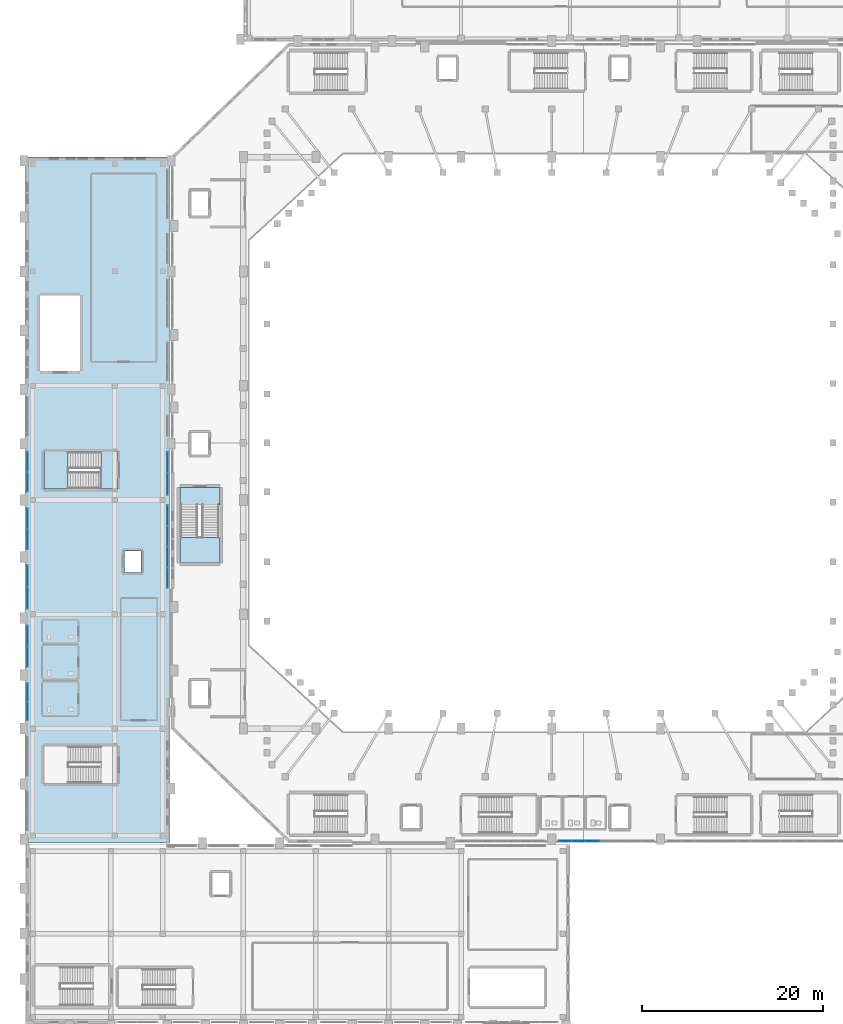
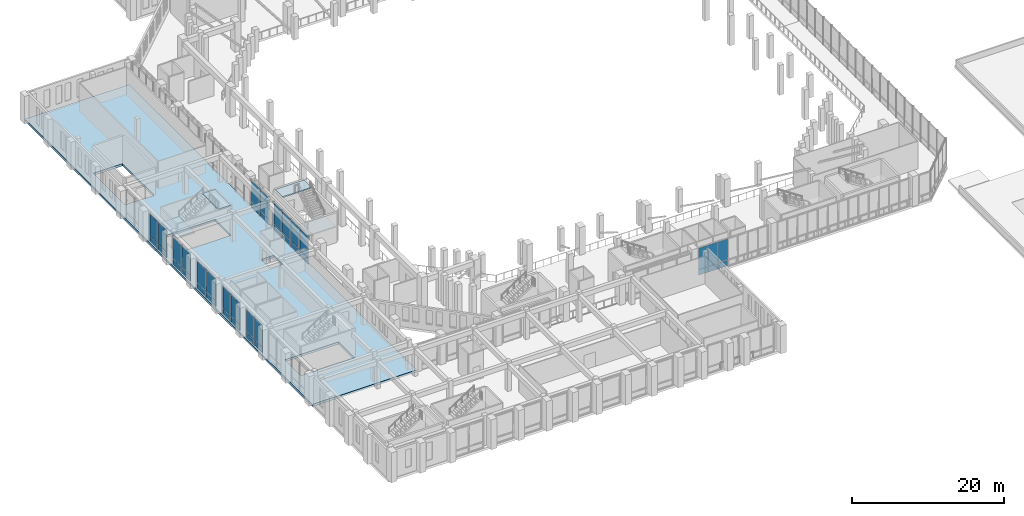
# One storey, part 67 of 126: 38 plates, 5 slabs, 10 elements without a shape of their own.
"""IFC4 building model written with IfcOpenShell, lengths in metres."""

from ifc_helpers import new_model, si_unit, derived_unit, direction, frame, origin, origin_2d, place, context, subcontext, project, spatial, polyline, rectangle, outline, extrude, material, layer, layer_set, type_object, element, aggregate, save


model = new_model("IFC4")

# Units and contexts
model_context = context("Model", 3, precision=1e-05, world=origin(), true_north=direction((0.0, 1.0)))
body_context = subcontext(model_context, "Body", "Model", "MODEL_VIEW")
ifc_project = project(units=[si_unit("LENGTHUNIT", "METRE"), si_unit("AREAUNIT", "SQUARE_METRE"), si_unit("VOLUMEUNIT", "CUBIC_METRE"), si_unit("PLANEANGLEUNIT", "RADIAN"), si_unit("MASSUNIT", "GRAM", prefix="KILO"), derived_unit("THERMALTRANSMITTANCEUNIT", [(si_unit("MASSUNIT", "GRAM", prefix="KILO"), 1), (si_unit("TIMEUNIT", "SECOND"), -3), (si_unit("THERMODYNAMICTEMPERATUREUNIT", "KELVIN"), -1)])], contexts=[model_context])

# Site, building, storey
site_placement = place(None, origin())
site = spatial("IfcSite", under=ifc_project, at=site_placement, CompositionType="ELEMENT")
building_placement = place(site_placement, origin())
building = spatial("IfcBuilding", under=site, at=building_placement, Name="Valcora Ridge Arena", CompositionType="ELEMENT")
storey_placement = place(building_placement, frame((0.0, 0.0, 11.39990234375)))
storey = spatial("IfcBuildingStorey", under=building, at=storey_placement, Name="L02", CompositionType="ELEMENT", Elevation=11.39990234375)

# Stair, slabs
ifc_material_1 = material(Name="Concrete C40/50", Category="concrete")
stair_type_1 = type_object("IfcStairType", Name="TY-STAIR-ES08-48", PredefinedType="HALF_TURN_STAIR", material=ifc_material_1)
stair_1_placement = place(storey_placement, origin())
stair_1 = element("IfcStair", 1, at=stair_1_placement, inside=storey, type_object=stair_type_1, Name="ES08-48 STR-ES-0029", PredefinedType="HALF_TURN_STAIR")
ifc_layer_1 = layer(ifc_material_1, 0.199951171875, Name="Concrete C40/50")
ifc_layer_set_1 = layer_set([ifc_layer_1], Name="Concrete C40/50")
slab_type_1 = type_object("IfcSlabType", Name="TY-LAND-ES08-48", PredefinedType="LANDING", material=ifc_layer_set_1)
slab_1_placement = place(storey_placement, frame((0.0, 0.0, 2.2001953125)))
slab_1 = element("IfcSlab", 2, at=slab_1_placement, type_object=slab_type_1, Name="ES08-48 landing 1", PredefinedType="LANDING", context=body_context, shape_type="SweptSolid", body=[
    extrude(outline(polyline([(2.001953125, 59.001953125), (4.679931640625, 59.001953125), (4.679931640625, 63.197998046875), (2.001953125, 63.197998046875), (2.001953125, 59.001953125)])), origin(), (0.0, 0.0, 1.0), 0.199951171875),
])
slab_2_placement = place(storey_placement, frame((0.0, 0.0, 4.60009765625)))
slab_2 = element("IfcSlab", 3, at=slab_2_placement, type_object=slab_type_1, Name="ES08-48 landing 2", PredefinedType="LANDING", context=body_context, shape_type="SweptSolid", body=[
    extrude(outline(polyline([(8.280029296875, 59.001953125), (10.157958984375, 59.001953125), (10.157958984375, 63.197998046875), (8.280029296875, 63.197998046875), (8.280029296875, 59.001953125)])), origin(), (0.0, 0.0, 1.0), 0.199951171875),
])
aggregate(stair_1, [slab_1, slab_2])

stair_type_2 = type_object("IfcStairType", Name="TY-STAIR-ST05-48", PredefinedType="HALF_TURN_STAIR", material=ifc_material_1)
stair_2_placement = place(storey_placement, origin())
stair_2 = element("IfcStair", 4, at=stair_2_placement, inside=storey, type_object=stair_type_2, Name="ST05-48 STR-CR-0026", PredefinedType="HALF_TURN_STAIR")
ifc_layer_2 = layer(ifc_material_1, 0.199951171875, Name="Concrete C40/50")
ifc_layer_set_2 = layer_set([ifc_layer_2], Name="Concrete C40/50")
slab_type_2 = type_object("IfcSlabType", Name="TY-LAND-ST05-48", PredefinedType="LANDING", material=ifc_layer_set_2)
slab_3_placement = place(storey_placement, frame((0.0, 0.0, 2.2001953125)))
slab_3 = element("IfcSlab", 5, at=slab_3_placement, type_object=slab_type_2, Name="ST05-48 landing 1", PredefinedType="LANDING", context=body_context, shape_type="SweptSolid", body=[
    extrude(outline(polyline([(17.001953125, 50.882080078125), (21.39794921875, 50.882080078125), (21.39794921875, 53.669921875), (17.001953125, 53.669921875), (17.001953125, 50.882080078125)])), origin(), (0.0, 0.0, 1.0), 0.199951171875),
])
slab_4_placement = place(storey_placement, frame((0.0, 0.0, 4.60009765625)))
slab_4 = element("IfcSlab", 6, at=slab_4_placement, type_object=slab_type_2, Name="ST05-48 landing 2", PredefinedType="LANDING", context=body_context, shape_type="SweptSolid", body=[
    extrude(outline(polyline([(17.001953125, 57.27001953125), (21.39794921875, 57.27001953125), (21.39794921875, 59.197998046875), (17.001953125, 59.197998046875), (17.001953125, 57.27001953125)])), origin(), (0.0, 0.0, 1.0), 0.199951171875),
])
aggregate(stair_2, [slab_3, slab_4])

# Curtain wall, plates
ifc_material_2 = material(Name="Anodised dark bronze architectural aluminium 6063-T6", Category="aluminium")
ifc_layer_3 = layer(ifc_material_2, 0.179931640625, Name="Anodised dark bronze architectural aluminium 6063-T6")
ifc_layer_set_3 = layer_set([ifc_layer_3], Name="Anodised dark bronze architectural aluminium 6063-T6")
curtain_wall_type_1 = type_object("IfcCurtainWallType", Name="TY-CURTAINWALL-CW-V1-GOTH-106X44", PredefinedType="NOTDEFINED", material=ifc_layer_set_3)
curtain_wall_1_placement = place(storey_placement, origin())
curtain_wall_1 = element("IfcCurtainWall", 7, at=curtain_wall_1_placement, inside=storey, type_object=curtain_wall_type_1, Name="CW-V1-GOTH-106X44 CW-0121", PredefinedType="NOTDEFINED")
ifc_material_3 = material(Name="Low-iron solar-control double glazing SHGC 0.28", Category="glass")
ifc_layer_4 = layer(ifc_material_3, 0.031982421875, Name="Low-iron solar-control double glazing SHGC 0.28")
ifc_layer_set_4 = layer_set([ifc_layer_4], Name="Low-iron solar-control double glazing SHGC 0.28")
plate_type_1 = type_object("IfcPlateType", Name="TY-PLT-CWP-1427X0860", PredefinedType="CURTAIN_PANEL", material=ifc_layer_set_4)
plate_1_placement = place(storey_placement, frame((59.46337890625, 20.199951171875, 0.06005859375), z_axis=(0.0, 0.0, 1.0), x_axis=(1.0, 0.0, 0.0)))
plate_1 = element("IfcPlate", 8, at=plate_1_placement, type_object=plate_type_1, Name="CW-0121/P00-00", PredefinedType="CURTAIN_PANEL", context=body_context, shape_type="SweptSolid", body=[
    extrude(rectangle(XDim=1.427001953125, YDim=0.031982421875, at=origin_2d()), origin(), (0.0, 0.0, 1.0), 0.860107421875),
])
ifc_layer_5 = layer(ifc_material_3, 0.031982421875, Name="Low-iron solar-control double glazing SHGC 0.28")
ifc_layer_set_5 = layer_set([ifc_layer_5], Name="Low-iron solar-control double glazing SHGC 0.28")
plate_type_2 = type_object("IfcPlateType", Name="TY-PLT-CWP-1427X3410", PredefinedType="CURTAIN_PANEL", material=ifc_layer_set_5)
plate_2_placement = place(storey_placement, frame((59.46337890625, 20.199951171875, 0.97998046875), z_axis=(0.0, 0.0, 1.0), x_axis=(1.0, 0.0, 0.0)))
plate_2 = element("IfcPlate", 9, at=plate_2_placement, type_object=plate_type_2, Name="CW-0121/P00-01", PredefinedType="CURTAIN_PANEL", context=body_context, shape_type="SweptSolid", body=[
    extrude(rectangle(XDim=1.427001953125, YDim=0.031982421875, at=origin_2d()), origin(), (0.0, 0.0, 1.0), 3.409912109375),
])
ifc_layer_6 = layer(ifc_material_3, 0.031982421875, Name="Low-iron solar-control double glazing SHGC 0.28")
ifc_layer_set_6 = layer_set([ifc_layer_6], Name="Low-iron solar-control double glazing SHGC 0.28")
plate_type_3 = type_object("IfcPlateType", Name="TY-PLT-CWP-1457X0860", PredefinedType="CURTAIN_PANEL", material=ifc_layer_set_6)
plate_3_placement = place(storey_placement, frame((60.965576171875, 20.199951171875, 0.06005859375), z_axis=(0.0, 0.0, 1.0), x_axis=(1.0, 0.0, 0.0)))
plate_3 = element("IfcPlate", 10, at=plate_3_placement, type_object=plate_type_3, Name="CW-0121/P01-00", PredefinedType="CURTAIN_PANEL", context=body_context, shape_type="SweptSolid", body=[
    extrude(rectangle(XDim=1.45703125, YDim=0.031982421875, at=origin_2d()), origin(), (0.0, 0.0, 1.0), 0.860107421875),
])
plate_4_placement = place(storey_placement, frame((62.482421875, 20.199951171875, 0.06005859375), z_axis=(0.0, 0.0, 1.0), x_axis=(1.0, 0.0, 0.0)))
plate_4 = element("IfcPlate", 11, at=plate_4_placement, type_object=plate_type_3, Name="CW-0121/P02-00", PredefinedType="CURTAIN_PANEL", context=body_context, shape_type="SweptSolid", body=[
    extrude(rectangle(XDim=1.45703125, YDim=0.031982421875, at=origin_2d()), origin(), (0.0, 0.0, 1.0), 0.860107421875),
])
ifc_layer_7 = layer(ifc_material_3, 0.031982421875, Name="Low-iron solar-control double glazing SHGC 0.28")
ifc_layer_set_7 = layer_set([ifc_layer_7], Name="Low-iron solar-control double glazing SHGC 0.28")
plate_type_4 = type_object("IfcPlateType", Name="TY-PLT-CWP-1457X3410", PredefinedType="CURTAIN_PANEL", material=ifc_layer_set_7)
plate_5_placement = place(storey_placement, frame((60.965576171875, 20.199951171875, 0.97998046875), z_axis=(0.0, 0.0, 1.0), x_axis=(1.0, 0.0, 0.0)))
plate_5 = element("IfcPlate", 12, at=plate_5_placement, type_object=plate_type_4, Name="CW-0121/P01-01", PredefinedType="CURTAIN_PANEL", context=body_context, shape_type="SweptSolid", body=[
    extrude(rectangle(XDim=1.45703125, YDim=0.031982421875, at=origin_2d()), origin(), (0.0, 0.0, 1.0), 3.409912109375),
])
plate_6_placement = place(storey_placement, frame((62.482421875, 20.199951171875, 0.97998046875), z_axis=(0.0, 0.0, 1.0), x_axis=(1.0, 0.0, 0.0)))
plate_6 = element("IfcPlate", 13, at=plate_6_placement, type_object=plate_type_4, Name="CW-0121/P02-01", PredefinedType="CURTAIN_PANEL", context=body_context, shape_type="SweptSolid", body=[
    extrude(rectangle(XDim=1.45703125, YDim=0.031982421875, at=origin_2d()), origin(), (0.0, 0.0, 1.0), 3.409912109375),
])
aggregate(curtain_wall_1, [plate_1, plate_2, plate_3, plate_5, plate_4, plate_6])

ifc_layer_8 = layer(ifc_material_2, 0.14990234375, Name="Anodised dark bronze architectural aluminium 6063-T6")
ifc_layer_set_8 = layer_set([ifc_layer_8], Name="Anodised dark bronze architectural aluminium 6063-T6")
curtain_wall_type_2 = type_object("IfcCurtainWallType", Name="TY-CURTAINWALL-CW-V4-CLUB-042X44", PredefinedType="NOTDEFINED", material=ifc_layer_set_8)
curtain_wall_2_placement = place(storey_placement, origin())
curtain_wall_2 = element("IfcCurtainWall", 14, at=curtain_wall_2_placement, inside=storey, type_object=curtain_wall_type_2, Name="CW-V4-CLUB-042X44 CW-0257", PredefinedType="NOTDEFINED")
ifc_layer_9 = layer(ifc_material_3, 0.028076171875, Name="Low-iron solar-control double glazing SHGC 0.28")
ifc_layer_set_9 = layer_set([ifc_layer_9], Name="Low-iron solar-control double glazing SHGC 0.28")
plate_type_5 = type_object("IfcPlateType", Name="TY-PLT-CWP-2035X0875", PredefinedType="CURTAIN_PANEL", material=ifc_layer_set_9)
plate_7_placement = place(storey_placement, frame((0.219970703125, 34.507568359375, 0.050048828125), z_axis=(0.0, 0.0, 1.0), x_axis=(0.0, 1.0, 0.0)))
plate_7 = element("IfcPlate", 15, at=plate_7_placement, type_object=plate_type_5, Name="CW-0257/P00-00", PredefinedType="CURTAIN_PANEL", context=body_context, shape_type="SweptSolid", body=[
    extrude(rectangle(XDim=2.034912109375, YDim=0.028076171875, at=origin_2d()), origin(), (0.0, 0.0, 1.0), 0.875),
])
plate_8_placement = place(storey_placement, frame((0.219970703125, 36.592529296875, 0.050048828125), z_axis=(0.0, 0.0, 1.0), x_axis=(0.0, 1.0, 0.0)))
plate_8 = element("IfcPlate", 16, at=plate_8_placement, type_object=plate_type_5, Name="CW-0257/P01-00", PredefinedType="CURTAIN_PANEL", context=body_context, shape_type="SweptSolid", body=[
    extrude(rectangle(XDim=2.034912109375, YDim=0.028076171875, at=origin_2d()), origin(), (0.0, 0.0, 1.0), 0.875),
])
ifc_layer_10 = layer(ifc_material_3, 0.028076171875, Name="Low-iron solar-control double glazing SHGC 0.28")
ifc_layer_set_10 = layer_set([ifc_layer_10], Name="Low-iron solar-control double glazing SHGC 0.28")
plate_type_6 = type_object("IfcPlateType", Name="TY-PLT-CWP-2035X3425", PredefinedType="CURTAIN_PANEL", material=ifc_layer_set_10)
plate_9_placement = place(storey_placement, frame((0.219970703125, 34.507568359375, 0.97509765625), z_axis=(0.0, 0.0, 1.0), x_axis=(0.0, 1.0, 0.0)))
plate_9 = element("IfcPlate", 17, at=plate_9_placement, type_object=plate_type_6, Name="CW-0257/P00-01", PredefinedType="CURTAIN_PANEL", context=body_context, shape_type="SweptSolid", body=[
    extrude(rectangle(XDim=2.034912109375, YDim=0.028076171875, at=origin_2d()), origin(), (0.0, 0.0, 1.0), 3.425048828125),
])
plate_10_placement = place(storey_placement, frame((0.219970703125, 36.592529296875, 0.97509765625), z_axis=(0.0, 0.0, 1.0), x_axis=(0.0, 1.0, 0.0)))
plate_10 = element("IfcPlate", 18, at=plate_10_placement, type_object=plate_type_6, Name="CW-0257/P01-01", PredefinedType="CURTAIN_PANEL", context=body_context, shape_type="SweptSolid", body=[
    extrude(rectangle(XDim=2.034912109375, YDim=0.028076171875, at=origin_2d()), origin(), (0.0, 0.0, 1.0), 3.425048828125),
])
aggregate(curtain_wall_2, [plate_7, plate_9, plate_8, plate_10])

ifc_layer_11 = layer(ifc_material_2, 0.14990234375, Name="Anodised dark bronze architectural aluminium 6063-T6")
ifc_layer_set_11 = layer_set([ifc_layer_11], Name="Anodised dark bronze architectural aluminium 6063-T6")
curtain_wall_type_3 = type_object("IfcCurtainWallType", Name="TY-CURTAINWALL-CW-V4-CLUB-045X44", PredefinedType="NOTDEFINED", material=ifc_layer_set_11)
curtain_wall_3_placement = place(storey_placement, origin())
curtain_wall_3 = element("IfcCurtainWall", 19, at=curtain_wall_3_placement, inside=storey, type_object=curtain_wall_type_3, Name="CW-V4-CLUB-045X44 CW-0261", PredefinedType="NOTDEFINED")
ifc_layer_12 = layer(ifc_material_3, 0.028076171875, Name="Low-iron solar-control double glazing SHGC 0.28")
ifc_layer_set_12 = layer_set([ifc_layer_12], Name="Low-iron solar-control double glazing SHGC 0.28")
plate_type_7 = type_object("IfcPlateType", Name="TY-PLT-CWP-2185X0875", PredefinedType="CURTAIN_PANEL", material=ifc_layer_set_12)
plate_11_placement = place(storey_placement, frame((0.219970703125, 59.782470703125, 0.050048828125), z_axis=(0.0, 0.0, 1.0), x_axis=(0.0, 1.0, 0.0)))
plate_11 = element("IfcPlate", 20, at=plate_11_placement, type_object=plate_type_7, Name="CW-0261/P00-00", PredefinedType="CURTAIN_PANEL", context=body_context, shape_type="SweptSolid", body=[
    extrude(rectangle(XDim=2.18505859375, YDim=0.028076171875, at=origin_2d()), origin(), (0.0, 0.0, 1.0), 0.875),
])
plate_12_placement = place(storey_placement, frame((0.219970703125, 62.017578125, 0.050048828125), z_axis=(0.0, 0.0, 1.0), x_axis=(0.0, 1.0, 0.0)))
plate_12 = element("IfcPlate", 21, at=plate_12_placement, type_object=plate_type_7, Name="CW-0261/P01-00", PredefinedType="CURTAIN_PANEL", context=body_context, shape_type="SweptSolid", body=[
    extrude(rectangle(XDim=2.18505859375, YDim=0.028076171875, at=origin_2d()), origin(), (0.0, 0.0, 1.0), 0.875),
])
ifc_layer_13 = layer(ifc_material_3, 0.028076171875, Name="Low-iron solar-control double glazing SHGC 0.28")
ifc_layer_set_13 = layer_set([ifc_layer_13], Name="Low-iron solar-control double glazing SHGC 0.28")
plate_type_8 = type_object("IfcPlateType", Name="TY-PLT-CWP-2185X3425", PredefinedType="CURTAIN_PANEL", material=ifc_layer_set_13)
plate_13_placement = place(storey_placement, frame((0.219970703125, 59.782470703125, 0.97509765625), z_axis=(0.0, 0.0, 1.0), x_axis=(0.0, 1.0, 0.0)))
plate_13 = element("IfcPlate", 22, at=plate_13_placement, type_object=plate_type_8, Name="CW-0261/P00-01", PredefinedType="CURTAIN_PANEL", context=body_context, shape_type="SweptSolid", body=[
    extrude(rectangle(XDim=2.18505859375, YDim=0.028076171875, at=origin_2d()), origin(), (0.0, 0.0, 1.0), 3.425048828125),
])
plate_14_placement = place(storey_placement, frame((0.219970703125, 62.017578125, 0.97509765625), z_axis=(0.0, 0.0, 1.0), x_axis=(0.0, 1.0, 0.0)))
plate_14 = element("IfcPlate", 23, at=plate_14_placement, type_object=plate_type_8, Name="CW-0261/P01-01", PredefinedType="CURTAIN_PANEL", context=body_context, shape_type="SweptSolid", body=[
    extrude(rectangle(XDim=2.18505859375, YDim=0.028076171875, at=origin_2d()), origin(), (0.0, 0.0, 1.0), 3.425048828125),
])
aggregate(curtain_wall_3, [plate_11, plate_13, plate_12, plate_14])

ifc_layer_14 = layer(ifc_material_2, 0.14990234375, Name="Anodised dark bronze architectural aluminium 6063-T6")
ifc_layer_set_14 = layer_set([ifc_layer_14], Name="Anodised dark bronze architectural aluminium 6063-T6")
curtain_wall_type_4 = type_object("IfcCurtainWallType", Name="TY-CURTAINWALL-CW-V4-CLUB-092X44", PredefinedType="NOTDEFINED", material=ifc_layer_set_14)
curtain_wall_4_placement = place(storey_placement, origin())
curtain_wall_4 = element("IfcCurtainWall", 24, at=curtain_wall_4_placement, inside=storey, type_object=curtain_wall_type_4, Name="CW-V4-CLUB-092X44 CW-0263", PredefinedType="NOTDEFINED")
ifc_layer_15 = layer(ifc_material_3, 0.028076171875, Name="Low-iron solar-control double glazing SHGC 0.28")
ifc_layer_set_15 = layer_set([ifc_layer_15], Name="Low-iron solar-control double glazing SHGC 0.28")
plate_type_9 = type_object("IfcPlateType", Name="TY-PLT-CWP-2227X0875", PredefinedType="CURTAIN_PANEL", material=ifc_layer_set_15)
plate_15_placement = place(storey_placement, frame((15.64990234375, 56.096435546875, 0.050048828125), z_axis=(0.0, 0.0, 1.0), x_axis=(0.0, 1.0, 0.0)))
plate_15 = element("IfcPlate", 25, at=plate_15_placement, type_object=plate_type_9, Name="CW-0263/P03-00", PredefinedType="CURTAIN_PANEL", context=body_context, shape_type="SweptSolid", body=[
    extrude(rectangle(XDim=2.22705078125, YDim=0.028076171875, at=origin_2d()), origin(), (0.0, 0.0, 1.0), 0.875),
])
ifc_layer_16 = layer(ifc_material_3, 0.028076171875, Name="Low-iron solar-control double glazing SHGC 0.28")
ifc_layer_set_16 = layer_set([ifc_layer_16], Name="Low-iron solar-control double glazing SHGC 0.28")
plate_type_10 = type_object("IfcPlateType", Name="TY-PLT-CWP-2227X3425", PredefinedType="CURTAIN_PANEL", material=ifc_layer_set_16)
plate_16_placement = place(storey_placement, frame((15.64990234375, 56.096435546875, 0.97509765625), z_axis=(0.0, 0.0, 1.0), x_axis=(0.0, 1.0, 0.0)))
plate_16 = element("IfcPlate", 26, at=plate_16_placement, type_object=plate_type_10, Name="CW-0263/P03-01", PredefinedType="CURTAIN_PANEL", context=body_context, shape_type="SweptSolid", body=[
    extrude(rectangle(XDim=2.22705078125, YDim=0.028076171875, at=origin_2d()), origin(), (0.0, 0.0, 1.0), 3.425048828125),
])
ifc_layer_17 = layer(ifc_material_3, 0.028076171875, Name="Low-iron solar-control double glazing SHGC 0.28")
ifc_layer_set_17 = layer_set([ifc_layer_17], Name="Low-iron solar-control double glazing SHGC 0.28")
plate_type_11 = type_object("IfcPlateType", Name="TY-PLT-CWP-2228X0875", PredefinedType="CURTAIN_PANEL", material=ifc_layer_set_17)
plate_17_placement = place(storey_placement, frame((15.64990234375, 49.214111328125, 0.050048828125), z_axis=(0.0, 0.0, 1.0), x_axis=(0.0, 1.0, 0.0)))
plate_17 = element("IfcPlate", 27, at=plate_17_placement, type_object=plate_type_11, Name="CW-0263/P00-00", PredefinedType="CURTAIN_PANEL", context=body_context, shape_type="SweptSolid", body=[
    extrude(rectangle(XDim=2.22802734375, YDim=0.028076171875, at=origin_2d()), origin(), (0.0, 0.0, 1.0), 0.875),
])
ifc_layer_18 = layer(ifc_material_3, 0.028076171875, Name="Low-iron solar-control double glazing SHGC 0.28")
ifc_layer_set_18 = layer_set([ifc_layer_18], Name="Low-iron solar-control double glazing SHGC 0.28")
plate_type_12 = type_object("IfcPlateType", Name="TY-PLT-CWP-2228X3425", PredefinedType="CURTAIN_PANEL", material=ifc_layer_set_18)
plate_18_placement = place(storey_placement, frame((15.64990234375, 49.214111328125, 0.97509765625), z_axis=(0.0, 0.0, 1.0), x_axis=(0.0, 1.0, 0.0)))
plate_18 = element("IfcPlate", 28, at=plate_18_placement, type_object=plate_type_12, Name="CW-0263/P00-01", PredefinedType="CURTAIN_PANEL", context=body_context, shape_type="SweptSolid", body=[
    extrude(rectangle(XDim=2.22802734375, YDim=0.028076171875, at=origin_2d()), origin(), (0.0, 0.0, 1.0), 3.425048828125),
])

ifc_layer_19 = layer(ifc_material_2, 0.14990234375, Name="Anodised dark bronze architectural aluminium 6063-T6")
ifc_layer_set_19 = layer_set([ifc_layer_19], Name="Anodised dark bronze architectural aluminium 6063-T6")
curtain_wall_type_5 = type_object("IfcCurtainWallType", Name="TY-CURTAINWALL-CW-V4-CLUB-046X44", PredefinedType="NOTDEFINED", material=ifc_layer_set_19)
curtain_wall_5_placement = place(storey_placement, origin())
curtain_wall_5 = element("IfcCurtainWall", 29, at=curtain_wall_5_placement, inside=storey, type_object=curtain_wall_type_5, Name="CW-V4-CLUB-046X44 CW-0258", PredefinedType="NOTDEFINED")
ifc_layer_20 = layer(ifc_material_3, 0.028076171875, Name="Low-iron solar-control double glazing SHGC 0.28")
ifc_layer_set_20 = layer_set([ifc_layer_20], Name="Low-iron solar-control double glazing SHGC 0.28")
plate_type_13 = type_object("IfcPlateType", Name="TY-PLT-CWP-2235X0875", PredefinedType="CURTAIN_PANEL", material=ifc_layer_set_20)
plate_19_placement = place(storey_placement, frame((0.219970703125, 40.507568359375, 0.050048828125), z_axis=(0.0, 0.0, 1.0), x_axis=(0.0, 1.0, 0.0)))
plate_19 = element("IfcPlate", 30, at=plate_19_placement, type_object=plate_type_13, Name="CW-0258/P00-00", PredefinedType="CURTAIN_PANEL", context=body_context, shape_type="SweptSolid", body=[
    extrude(rectangle(XDim=2.235107421875, YDim=0.028076171875, at=origin_2d()), origin(), (0.0, 0.0, 1.0), 0.875),
])
plate_20_placement = place(storey_placement, frame((0.219970703125, 42.79248046875, 0.050048828125), z_axis=(0.0, 0.0, 1.0), x_axis=(0.0, 1.0, 0.0)))
plate_20 = element("IfcPlate", 31, at=plate_20_placement, type_object=plate_type_13, Name="CW-0258/P01-00", PredefinedType="CURTAIN_PANEL", context=body_context, shape_type="SweptSolid", body=[
    extrude(rectangle(XDim=2.235107421875, YDim=0.028076171875, at=origin_2d()), origin(), (0.0, 0.0, 1.0), 0.875),
])

curtain_wall_6_placement = place(storey_placement, origin())
curtain_wall_6 = element("IfcCurtainWall", 32, at=curtain_wall_6_placement, inside=storey, type_object=curtain_wall_type_5, Name="CW-V4-CLUB-046X44 CW-0260", PredefinedType="NOTDEFINED")
plate_21_placement = place(storey_placement, frame((0.219970703125, 53.507568359375, 0.050048828125), z_axis=(0.0, 0.0, 1.0), x_axis=(0.0, 1.0, 0.0)))
plate_21 = element("IfcPlate", 33, at=plate_21_placement, type_object=plate_type_13, Name="CW-0260/P00-00", PredefinedType="CURTAIN_PANEL", context=body_context, shape_type="SweptSolid", body=[
    extrude(rectangle(XDim=2.235107421875, YDim=0.028076171875, at=origin_2d()), origin(), (0.0, 0.0, 1.0), 0.875),
])
plate_22_placement = place(storey_placement, frame((0.219970703125, 55.79248046875, 0.050048828125), z_axis=(0.0, 0.0, 1.0), x_axis=(0.0, 1.0, 0.0)))
plate_22 = element("IfcPlate", 34, at=plate_22_placement, type_object=plate_type_13, Name="CW-0260/P01-00", PredefinedType="CURTAIN_PANEL", context=body_context, shape_type="SweptSolid", body=[
    extrude(rectangle(XDim=2.235107421875, YDim=0.028076171875, at=origin_2d()), origin(), (0.0, 0.0, 1.0), 0.875),
])

# Plate
ifc_layer_21 = layer(ifc_material_3, 0.028076171875, Name="Low-iron solar-control double glazing SHGC 0.28")
ifc_layer_set_21 = layer_set([ifc_layer_21], Name="Low-iron solar-control double glazing SHGC 0.28")
plate_type_14 = type_object("IfcPlateType", Name="TY-PLT-CWP-2235X3425", PredefinedType="CURTAIN_PANEL", material=ifc_layer_set_21)
plate_23_placement = place(storey_placement, frame((0.219970703125, 40.507568359375, 0.97509765625), z_axis=(0.0, 0.0, 1.0), x_axis=(0.0, 1.0, 0.0)))
plate_23 = element("IfcPlate", 35, at=plate_23_placement, type_object=plate_type_14, Name="CW-0258/P00-01", PredefinedType="CURTAIN_PANEL", context=body_context, shape_type="SweptSolid", body=[
    extrude(rectangle(XDim=2.235107421875, YDim=0.028076171875, at=origin_2d()), origin(), (0.0, 0.0, 1.0), 3.425048828125),
])

plate_24_placement = place(storey_placement, frame((0.219970703125, 42.79248046875, 0.97509765625), z_axis=(0.0, 0.0, 1.0), x_axis=(0.0, 1.0, 0.0)))
plate_24 = element("IfcPlate", 36, at=plate_24_placement, type_object=plate_type_14, Name="CW-0258/P01-01", PredefinedType="CURTAIN_PANEL", context=body_context, shape_type="SweptSolid", body=[
    extrude(rectangle(XDim=2.235107421875, YDim=0.028076171875, at=origin_2d()), origin(), (0.0, 0.0, 1.0), 3.425048828125),
])

aggregate(curtain_wall_5, [plate_19, plate_23, plate_20, plate_24])

plate_25_placement = place(storey_placement, frame((0.219970703125, 53.507568359375, 0.97509765625), z_axis=(0.0, 0.0, 1.0), x_axis=(0.0, 1.0, 0.0)))
plate_25 = element("IfcPlate", 37, at=plate_25_placement, type_object=plate_type_14, Name="CW-0260/P00-01", PredefinedType="CURTAIN_PANEL", context=body_context, shape_type="SweptSolid", body=[
    extrude(rectangle(XDim=2.235107421875, YDim=0.028076171875, at=origin_2d()), origin(), (0.0, 0.0, 1.0), 3.425048828125),
])

plate_26_placement = place(storey_placement, frame((0.219970703125, 55.79248046875, 0.97509765625), z_axis=(0.0, 0.0, 1.0), x_axis=(0.0, 1.0, 0.0)))
plate_26 = element("IfcPlate", 38, at=plate_26_placement, type_object=plate_type_14, Name="CW-0260/P01-01", PredefinedType="CURTAIN_PANEL", context=body_context, shape_type="SweptSolid", body=[
    extrude(rectangle(XDim=2.235107421875, YDim=0.028076171875, at=origin_2d()), origin(), (0.0, 0.0, 1.0), 3.425048828125),
])

aggregate(curtain_wall_6, [plate_21, plate_25, plate_22, plate_26])

ifc_layer_22 = layer(ifc_material_3, 0.028076171875, Name="Low-iron solar-control double glazing SHGC 0.28")
ifc_layer_set_22 = layer_set([ifc_layer_22], Name="Low-iron solar-control double glazing SHGC 0.28")
plate_type_15 = type_object("IfcPlateType", Name="TY-PLT-CWP-2252X0875", PredefinedType="CURTAIN_PANEL", material=ifc_layer_set_22)
plate_27_placement = place(storey_placement, frame((15.64990234375, 51.50390625, 0.050048828125), z_axis=(0.0, 0.0, 1.0), x_axis=(0.0, 1.0, 0.0)))
plate_27 = element("IfcPlate", 39, at=plate_27_placement, type_object=plate_type_15, Name="CW-0263/P01-00", PredefinedType="CURTAIN_PANEL", context=body_context, shape_type="SweptSolid", body=[
    extrude(rectangle(XDim=2.251953125, YDim=0.028076171875, at=origin_2d()), origin(), (0.0, 0.0, 1.0), 0.875),
])

ifc_layer_23 = layer(ifc_material_3, 0.028076171875, Name="Low-iron solar-control double glazing SHGC 0.28")
ifc_layer_set_23 = layer_set([ifc_layer_23], Name="Low-iron solar-control double glazing SHGC 0.28")
plate_type_16 = type_object("IfcPlateType", Name="TY-PLT-CWP-2252X3425", PredefinedType="CURTAIN_PANEL", material=ifc_layer_set_23)
plate_28_placement = place(storey_placement, frame((15.64990234375, 51.50390625, 0.97509765625), z_axis=(0.0, 0.0, 1.0), x_axis=(0.0, 1.0, 0.0)))
plate_28 = element("IfcPlate", 40, at=plate_28_placement, type_object=plate_type_16, Name="CW-0263/P01-01", PredefinedType="CURTAIN_PANEL", context=body_context, shape_type="SweptSolid", body=[
    extrude(rectangle(XDim=2.251953125, YDim=0.028076171875, at=origin_2d()), origin(), (0.0, 0.0, 1.0), 3.425048828125),
])

ifc_layer_24 = layer(ifc_material_3, 0.028076171875, Name="Low-iron solar-control double glazing SHGC 0.28")
ifc_layer_set_24 = layer_set([ifc_layer_24], Name="Low-iron solar-control double glazing SHGC 0.28")
plate_type_17 = type_object("IfcPlateType", Name="TY-PLT-CWP-2253X0875", PredefinedType="CURTAIN_PANEL", material=ifc_layer_set_24)
plate_29_placement = place(storey_placement, frame((15.64990234375, 53.806396484375, 0.050048828125), z_axis=(0.0, 0.0, 1.0), x_axis=(0.0, 1.0, 0.0)))
plate_29 = element("IfcPlate", 41, at=plate_29_placement, type_object=plate_type_17, Name="CW-0263/P02-00", PredefinedType="CURTAIN_PANEL", context=body_context, shape_type="SweptSolid", body=[
    extrude(rectangle(XDim=2.2529296875, YDim=0.028076171875, at=origin_2d()), origin(), (0.0, 0.0, 1.0), 0.875),
])

ifc_layer_25 = layer(ifc_material_3, 0.028076171875, Name="Low-iron solar-control double glazing SHGC 0.28")
ifc_layer_set_25 = layer_set([ifc_layer_25], Name="Low-iron solar-control double glazing SHGC 0.28")
plate_type_18 = type_object("IfcPlateType", Name="TY-PLT-CWP-2253X3425", PredefinedType="CURTAIN_PANEL", material=ifc_layer_set_25)
plate_30_placement = place(storey_placement, frame((15.64990234375, 53.806396484375, 0.97509765625), z_axis=(0.0, 0.0, 1.0), x_axis=(0.0, 1.0, 0.0)))
plate_30 = element("IfcPlate", 42, at=plate_30_placement, type_object=plate_type_18, Name="CW-0263/P02-01", PredefinedType="CURTAIN_PANEL", context=body_context, shape_type="SweptSolid", body=[
    extrude(rectangle(XDim=2.2529296875, YDim=0.028076171875, at=origin_2d()), origin(), (0.0, 0.0, 1.0), 3.425048828125),
])

aggregate(curtain_wall_4, [plate_17, plate_18, plate_27, plate_28, plate_29, plate_30, plate_15, plate_16])

# Curtain wall, plates
ifc_layer_26 = layer(ifc_material_2, 0.14990234375, Name="Anodised dark bronze architectural aluminium 6063-T6")
ifc_layer_set_26 = layer_set([ifc_layer_26], Name="Anodised dark bronze architectural aluminium 6063-T6")
curtain_wall_type_6 = type_object("IfcCurtainWallType", Name="TY-CURTAINWALL-CW-V4-CLUB-048X44", PredefinedType="NOTDEFINED", material=ifc_layer_set_26)
curtain_wall_7_placement = place(storey_placement, origin())
curtain_wall_7 = element("IfcCurtainWall", 43, at=curtain_wall_7_placement, inside=storey, type_object=curtain_wall_type_6, Name="CW-V4-CLUB-048X44 CW-0264", PredefinedType="NOTDEFINED")
ifc_layer_27 = layer(ifc_material_3, 0.028076171875, Name="Low-iron solar-control double glazing SHGC 0.28")
ifc_layer_set_27 = layer_set([ifc_layer_27], Name="Low-iron solar-control double glazing SHGC 0.28")
plate_type_19 = type_object("IfcPlateType", Name="TY-PLT-CWP-2335X0875", PredefinedType="CURTAIN_PANEL", material=ifc_layer_set_27)
plate_31_placement = place(storey_placement, frame((15.64990234375, 59.5576171875, 0.050048828125), z_axis=(0.0, 0.0, 1.0), x_axis=(0.0, 1.0, 0.0)))
plate_31 = element("IfcPlate", 44, at=plate_31_placement, type_object=plate_type_19, Name="CW-0264/P00-00", PredefinedType="CURTAIN_PANEL", context=body_context, shape_type="SweptSolid", body=[
    extrude(rectangle(XDim=2.3349609375, YDim=0.028076171875, at=origin_2d()), origin(), (0.0, 0.0, 1.0), 0.875),
])
plate_32_placement = place(storey_placement, frame((15.64990234375, 61.9423828125, 0.050048828125), z_axis=(0.0, 0.0, 1.0), x_axis=(0.0, 1.0, 0.0)))
plate_32 = element("IfcPlate", 45, at=plate_32_placement, type_object=plate_type_19, Name="CW-0264/P01-00", PredefinedType="CURTAIN_PANEL", context=body_context, shape_type="SweptSolid", body=[
    extrude(rectangle(XDim=2.3349609375, YDim=0.028076171875, at=origin_2d()), origin(), (0.0, 0.0, 1.0), 0.875),
])
ifc_layer_28 = layer(ifc_material_3, 0.028076171875, Name="Low-iron solar-control double glazing SHGC 0.28")
ifc_layer_set_28 = layer_set([ifc_layer_28], Name="Low-iron solar-control double glazing SHGC 0.28")
plate_type_20 = type_object("IfcPlateType", Name="TY-PLT-CWP-2335X3425", PredefinedType="CURTAIN_PANEL", material=ifc_layer_set_28)
plate_33_placement = place(storey_placement, frame((15.64990234375, 59.5576171875, 0.97509765625), z_axis=(0.0, 0.0, 1.0), x_axis=(0.0, 1.0, 0.0)))
plate_33 = element("IfcPlate", 46, at=plate_33_placement, type_object=plate_type_20, Name="CW-0264/P00-01", PredefinedType="CURTAIN_PANEL", context=body_context, shape_type="SweptSolid", body=[
    extrude(rectangle(XDim=2.3349609375, YDim=0.028076171875, at=origin_2d()), origin(), (0.0, 0.0, 1.0), 3.425048828125),
])
plate_34_placement = place(storey_placement, frame((15.64990234375, 61.9423828125, 0.97509765625), z_axis=(0.0, 0.0, 1.0), x_axis=(0.0, 1.0, 0.0)))
plate_34 = element("IfcPlate", 47, at=plate_34_placement, type_object=plate_type_20, Name="CW-0264/P01-01", PredefinedType="CURTAIN_PANEL", context=body_context, shape_type="SweptSolid", body=[
    extrude(rectangle(XDim=2.3349609375, YDim=0.028076171875, at=origin_2d()), origin(), (0.0, 0.0, 1.0), 3.425048828125),
])
aggregate(curtain_wall_7, [plate_31, plate_33, plate_32, plate_34])

ifc_layer_29 = layer(ifc_material_2, 0.14990234375, Name="Anodised dark bronze architectural aluminium 6063-T6")
ifc_layer_set_29 = layer_set([ifc_layer_29], Name="Anodised dark bronze architectural aluminium 6063-T6")
curtain_wall_type_7 = type_object("IfcCurtainWallType", Name="TY-CURTAINWALL-CW-V4-CLUB-049X44", PredefinedType="NOTDEFINED", material=ifc_layer_set_29)
curtain_wall_8_placement = place(storey_placement, origin())
curtain_wall_8 = element("IfcCurtainWall", 48, at=curtain_wall_8_placement, inside=storey, type_object=curtain_wall_type_7, Name="CW-V4-CLUB-049X44 CW-0259", PredefinedType="NOTDEFINED")
ifc_layer_30 = layer(ifc_material_3, 0.028076171875, Name="Low-iron solar-control double glazing SHGC 0.28")
ifc_layer_set_30 = layer_set([ifc_layer_30], Name="Low-iron solar-control double glazing SHGC 0.28")
plate_type_21 = type_object("IfcPlateType", Name="TY-PLT-CWP-2385X0875", PredefinedType="CURTAIN_PANEL", material=ifc_layer_set_30)
plate_35_placement = place(storey_placement, frame((0.219970703125, 46.982421875, 0.050048828125), z_axis=(0.0, 0.0, 1.0), x_axis=(0.0, 1.0, 0.0)))
plate_35 = element("IfcPlate", 49, at=plate_35_placement, type_object=plate_type_21, Name="CW-0259/P00-00", PredefinedType="CURTAIN_PANEL", context=body_context, shape_type="SweptSolid", body=[
    extrude(rectangle(XDim=2.385009765625, YDim=0.028076171875, at=origin_2d()), origin(), (0.0, 0.0, 1.0), 0.875),
])
plate_36_placement = place(storey_placement, frame((0.219970703125, 49.41748046875, 0.050048828125), z_axis=(0.0, 0.0, 1.0), x_axis=(0.0, 1.0, 0.0)))
plate_36 = element("IfcPlate", 50, at=plate_36_placement, type_object=plate_type_21, Name="CW-0259/P01-00", PredefinedType="CURTAIN_PANEL", context=body_context, shape_type="SweptSolid", body=[
    extrude(rectangle(XDim=2.385009765625, YDim=0.028076171875, at=origin_2d()), origin(), (0.0, 0.0, 1.0), 0.875),
])
ifc_layer_31 = layer(ifc_material_3, 0.028076171875, Name="Low-iron solar-control double glazing SHGC 0.28")
ifc_layer_set_31 = layer_set([ifc_layer_31], Name="Low-iron solar-control double glazing SHGC 0.28")
plate_type_22 = type_object("IfcPlateType", Name="TY-PLT-CWP-2385X3425", PredefinedType="CURTAIN_PANEL", material=ifc_layer_set_31)
plate_37_placement = place(storey_placement, frame((0.219970703125, 46.982421875, 0.97509765625), z_axis=(0.0, 0.0, 1.0), x_axis=(0.0, 1.0, 0.0)))
plate_37 = element("IfcPlate", 51, at=plate_37_placement, type_object=plate_type_22, Name="CW-0259/P00-01", PredefinedType="CURTAIN_PANEL", context=body_context, shape_type="SweptSolid", body=[
    extrude(rectangle(XDim=2.385009765625, YDim=0.028076171875, at=origin_2d()), origin(), (0.0, 0.0, 1.0), 3.425048828125),
])
plate_38_placement = place(storey_placement, frame((0.219970703125, 49.41748046875, 0.97509765625), z_axis=(0.0, 0.0, 1.0), x_axis=(0.0, 1.0, 0.0)))
plate_38 = element("IfcPlate", 52, at=plate_38_placement, type_object=plate_type_22, Name="CW-0259/P01-01", PredefinedType="CURTAIN_PANEL", context=body_context, shape_type="SweptSolid", body=[
    extrude(rectangle(XDim=2.385009765625, YDim=0.028076171875, at=origin_2d()), origin(), (0.0, 0.0, 1.0), 3.425048828125),
])
aggregate(curtain_wall_8, [plate_35, plate_37, plate_36, plate_38])

# Slab
ifc_layer_32 = layer(ifc_material_1, 0.360107421875, Name="Concrete C40/50")
ifc_layer_set_32 = layer_set([ifc_layer_32], Name="Concrete C40/50")
slab_type_3 = type_object("IfcSlabType", Name="TY-SLAB-SL-V4-360BW", PredefinedType="FLOOR", material=ifc_layer_set_32)
slab_5_placement = place(storey_placement, frame((0.0, 0.0, -0.35986328125)))
element("IfcSlab", 53, at=slab_5_placement, inside=storey, type_object=slab_type_3, Name="SL-V4-360BW SLB-0061", PredefinedType="FLOOR", context=body_context, shape_type="SweptSolid", body=[
    extrude(outline(polyline([(0.0, 20.0), (15.85009765625, 20.0), (15.85009765625, 95.60009765625), (0.0, 95.60009765625), (0.0, 20.0)]), holes=[polyline([(2.0, 30.699951171875), (2.0, 26.5), (10.159912109375, 26.5), (10.159912109375, 30.699951171875), (2.0, 30.699951171875)]), polyline([(10.159912109375, 63.199951171875), (2.0, 63.199951171875), (2.0, 59.0), (10.159912109375, 59.0), (10.159912109375, 63.199951171875)]), polyline([(1.60009765625, 80.320068359375), (1.60009765625, 72.0), (6.0, 72.0), (6.0, 80.320068359375), (1.60009765625, 80.320068359375)]), polyline([(10.8798828125, 52.169921875), (10.8798828125, 49.830078125), (12.719970703125, 49.830078125), (12.719970703125, 52.169921875), (10.8798828125, 52.169921875)])]), origin(), (0.0, 0.0, 1.0), 0.35986328125),
])

save(model, "model.ifc")
